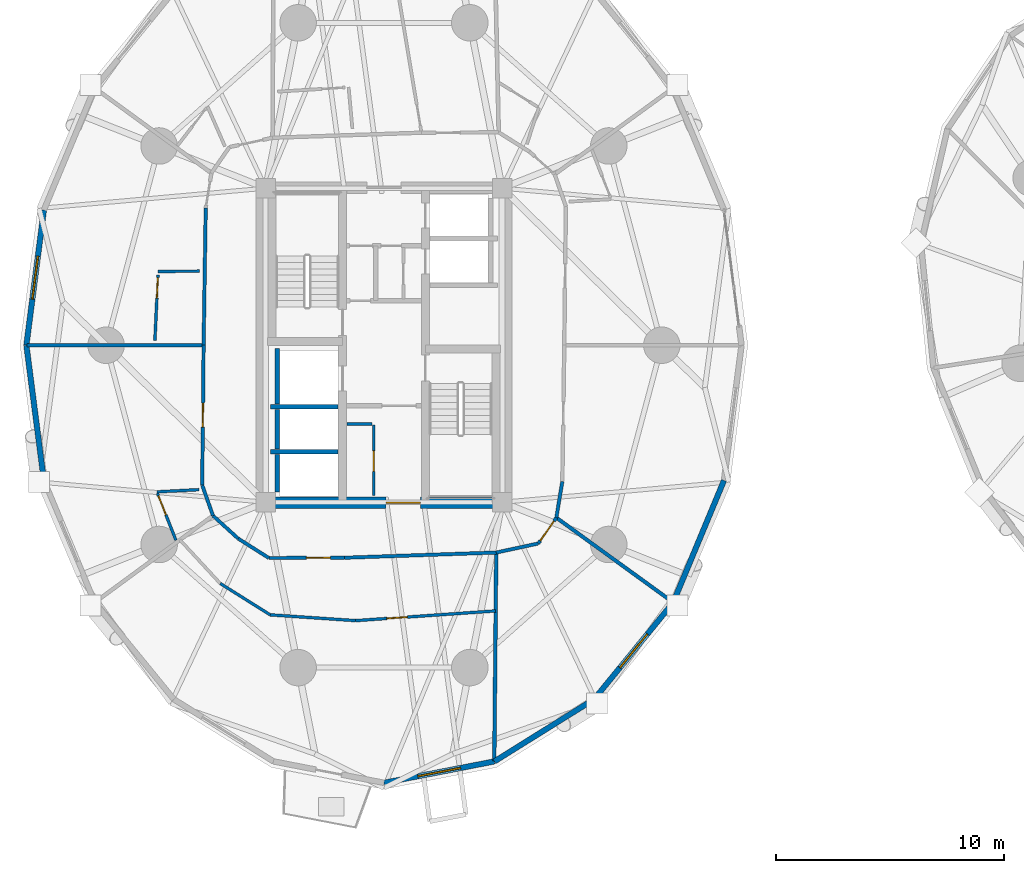
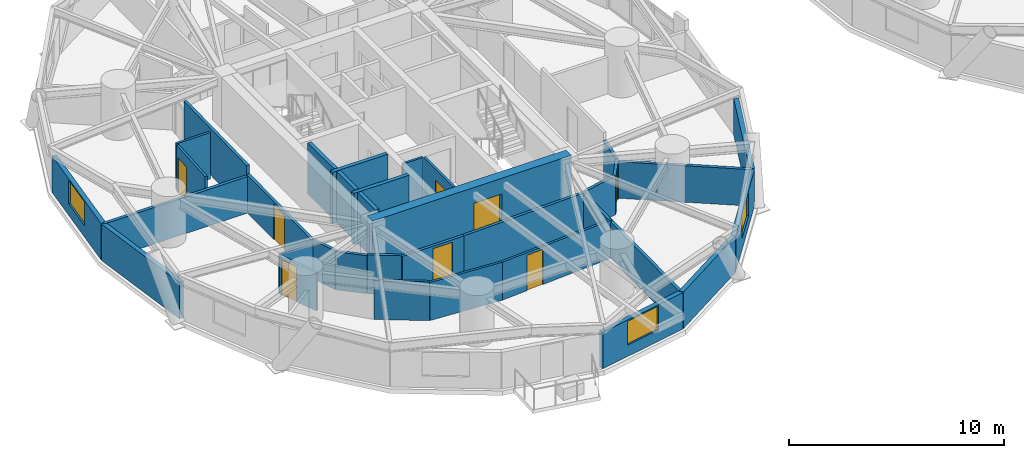
# One storey, part 10 of 19: 34 walls, 8 doors, 3 windows, 11 openings.
"""IFC4 building model written with IfcOpenShell, lengths in metres."""

from ifc_helpers import new_model, si_unit, direction, frame, frame_2d, origin, place, context, subcontext, project, spatial, rectangle, extrude, source, transform, mapped, material, layer, layer_set, type_object, element, fill, save


model = new_model("IFC4")

# Units and contexts
model_context = context("Model", 3, precision=1e-05, world=origin(), true_north=direction((0.0, 1.0)))
body_context = subcontext(model_context, "Body", "Model", "MODEL_VIEW")
ifc_project = project(units=[si_unit("LENGTHUNIT", "METRE"), si_unit("AREAUNIT", "SQUARE_METRE"), si_unit("VOLUMEUNIT", "CUBIC_METRE"), si_unit("PLANEANGLEUNIT", "RADIAN"), si_unit("MASSUNIT", "GRAM", prefix="KILO")], contexts=[model_context])

# Site, building, storey
site_placement = place(None, origin())
site = spatial("IfcSite", under=ifc_project, at=site_placement, CompositionType="ELEMENT")
building_placement = place(site_placement, origin())
building = spatial("IfcBuilding", under=site, at=building_placement, Name="Cununo Teusaquillo Station Towers", CompositionType="ELEMENT")
storey_placement = place(building_placement, frame((0.0, 0.0, 48.18994140625)))
storey = spatial("IfcBuildingStorey", under=building, at=storey_placement, Name="L14", CompositionType="ELEMENT", Elevation=48.18994140625)

# Walls
ifc_material_1 = material(Name="Concrete C50/60", Category="concrete")
ifc_layer_1 = layer(ifc_material_1, 0.199951171875)
ifc_layer_set_1 = layer_set([ifc_layer_1], Name="Concrete C50/60")
wall_type_1 = type_object("IfcWallType", Name="WL-CORE-200", PredefinedType="SHEAR", material=ifc_layer_set_1)
wall_1_placement = place(storey_placement, frame((11.52001953125, 21.800048828125, 0.0), z_axis=(0.0, 0.0, 1.0), x_axis=(1.0, 0.0, 0.0)))
element("IfcWall", 1, at=wall_1_placement, inside=storey, type_object=wall_type_1, Name="L14 Tower A Firefighting Lift Shaft South Shear Wall", PredefinedType="SHEAR", context=body_context, shape_type="SweptSolid", body=[
    extrude(rectangle(XDim=2.969970703125, YDim=0.199951171875, at=frame_2d((1.48486328125, 0.0))), origin(), (0.0, 0.0, 1.0), 2.91015625),
])
wall_2_placement = place(storey_placement, frame((11.820068359375, 21.919921875, 0.0), z_axis=(0.0, 0.0, 1.0), x_axis=(0.0, 1.0, 0.0)))
element("IfcWall", 2, at=wall_2_placement, inside=storey, type_object=wall_type_1, Name="L14 Tower A Firefighting Lift Shaft Rear Shear Wall", PredefinedType="SHEAR", context=body_context, shape_type="SweptSolid", body=[
    extrude(rectangle(XDim=2.440185546875, YDim=0.199951171875, at=frame_2d((1.22021484375, 0.0))), origin(), (0.0, 0.0, 1.0), 2.91015625),
])
wall_3_placement = place(storey_placement, frame((11.52001953125, 19.824951171875, 0.0), z_axis=(0.0, 0.0, 1.0), x_axis=(1.0, 0.0, 0.0)))
element("IfcWall", 3, at=wall_3_placement, inside=storey, type_object=wall_type_1, Name="L14 Tower A High-Rise Lift Hoistway Divider Shear Wall", PredefinedType="SHEAR", context=body_context, shape_type="SweptSolid", body=[
    extrude(rectangle(XDim=2.969970703125, YDim=0.199951171875, at=frame_2d((1.48486328125, 0.0))), origin(), (0.0, 0.0, 1.0), 2.91015625),
])
wall_4_placement = place(storey_placement, frame((11.820068359375, 19.945068359375, 0.0), z_axis=(0.0, 0.0, 1.0), x_axis=(0.0, 1.0, 0.0)))
element("IfcWall", 4, at=wall_4_placement, inside=storey, type_object=wall_type_1, Name="L14 Tower A High-Rise Lift 2 Shaft Rear Shear Wall", PredefinedType="SHEAR", context=body_context, shape_type="SweptSolid", body=[
    extrude(rectangle(XDim=1.73486328125, YDim=0.199951171875, at=frame_2d((0.867431640625, 0.0))), origin(), (0.0, 0.0, 1.0), 2.91015625),
])
wall_5_placement = place(storey_placement, frame((11.820068359375, 18.070068359375, 0.0), z_axis=(0.0, 0.0, 1.0), x_axis=(0.0, 1.0, 0.0)))
element("IfcWall", 5, at=wall_5_placement, inside=storey, type_object=wall_type_1, Name="L14 Tower A High-Rise Lift 1 Shaft Rear Shear Wall", PredefinedType="SHEAR", context=body_context, shape_type="SweptSolid", body=[
    extrude(rectangle(XDim=1.635009765625, YDim=0.199951171875, at=frame_2d((0.8173828125, 0.0))), origin(), (0.0, 0.0, 1.0), 2.91015625),
])

# Wall, opening, door
ifc_material_2 = material(Name="Concrete C60/75", Category="concrete")
ifc_layer_2 = layer(ifc_material_2, 0.5)
ifc_layer_set_2 = layer_set([ifc_layer_2], Name="Concrete C60/75")
wall_type_2 = type_object("IfcWallType", Name="WL-CORE-500", PredefinedType="SHEAR", material=ifc_layer_set_2)
wall_6_placement = place(storey_placement, frame((11.14990234375, 17.60009765625, 0.0), z_axis=(0.0, 0.0, 1.0), x_axis=(1.0, 0.0, 0.0)))
wall_6 = element("IfcWall", 6, at=wall_6_placement, inside=storey, type_object=wall_type_2, Name="L14 Tower A Core Shear Wall S", PredefinedType="SHEAR", context=body_context, shape_type="SweptSolid", body=[
    extrude(rectangle(XDim=10.7001953125, YDim=0.5, at=frame_2d((5.35009765625, 0.0))), origin(), (0.0, 0.0, 1.0), 2.91015625),
])
shared_shape_1 = source(origin(), body_context, "Body", "SweptSolid", [
    extrude(rectangle(XDim=1.5, YDim=2.02001953125, at=frame_2d((0.75, 1.010009765625))), frame((0.0, 0.260009765625, 0.0), z_axis=(0.0, -1.0, 0.0), x_axis=(1.0, 0.0, 0.0)), (0.0, 0.0, 1.0), 0.52001953125),
])
opening_1_placement = place(wall_6_placement, frame((5.449951171875, 0.0, 0.0)))
opening_1 = element("IfcOpeningElement", 7, at=opening_1_placement, cuts=wall_6, Name="Opening D-LB1", PredefinedType="OPENING", context=body_context, shape_type="MappedRepresentation", body=[
    mapped(shared_shape_1, transform((0.0, 0.0, 0.0), x_axis=(1.0, 0.0, 0.0), y_axis=(0.0, 1.0, 0.0), z_axis=(0.0, 0.0, 1.0), scale=1.0)),
])
ifc_material_3 = material(Name="Galvanised fire-rated hollow steel door assembly", Category="steel")
door_type_1 = type_object("IfcDoorType", Name="DR-LOBBY-1500", OperationType="DOUBLE_DOOR_SINGLE_SWING", PredefinedType="DOOR", material=ifc_material_3)
shared_shape_2 = source(origin(), body_context, "Body", "SweptSolid", [
    extrude(rectangle(XDim=1.5, YDim=2.02001953125, at=frame_2d((0.75, 1.010009765625))), frame((0.0, 0.02490234375, 0.0), z_axis=(0.0, -1.0, 0.0), x_axis=(1.0, 0.0, 0.0)), (0.0, 0.0, 1.0), 0.050048828125),
])
door_1_placement = place(opening_1_placement, origin())
door_1 = element("IfcDoor", 8, at=door_1_placement, inside=storey, type_object=door_type_1, Name="L14 Tower A South Core Lift Lobby Door", OperationType="DOUBLE_DOOR_SINGLE_SWING", OverallHeight=2.02001953125, OverallWidth=1.5, PredefinedType="DOOR", context=body_context, shape_type="MappedRepresentation", body=[
    mapped(shared_shape_2, transform((0.0, 0.0, 0.0), x_axis=(1.0, 0.0, 0.0), y_axis=(0.0, 1.0, 0.0), z_axis=(0.0, 0.0, 1.0), scale=1.0)),
])
fill(opening_1, door_1)

# Wall, opening, window
ifc_material_4 = material(Name="Precast concrete C40/50", Category="concrete")
ifc_layer_3 = layer(ifc_material_4, 0.239990234375)
ifc_layer_set_3 = layer_set([ifc_layer_3], Name="Precast concrete C40/50")
wall_type_3 = type_object("IfcWallType", Name="WL-EXT-240", PredefinedType="SOLIDWALL", material=ifc_layer_set_3)
wall_7_placement = place(storey_placement, frame((0.8369140625, 24.5, 0.0), z_axis=(0.0, 0.0, 1.0), x_axis=(0.128339641463, 0.991730274031, 0.0)))
wall_7 = element("IfcWall", 9, at=wall_7_placement, inside=storey, type_object=wall_type_3, Name="L14 Tower A Exterior Facade Wall C09", PredefinedType="SOLIDWALL", context=body_context, shape_type="SweptSolid", body=[
    extrude(rectangle(XDim=5.97314453125, YDim=0.239990234375, at=frame_2d((2.986572265625, 0.0))), origin(), (0.0, 0.0, 1.0), 2.072998046875),
])
shared_shape_3 = source(origin(), body_context, "Body", "SweptSolid", [
    extrude(rectangle(XDim=1.89990234375, YDim=1.35009765625, at=frame_2d((0.949951171875, 0.675048828125))), frame((0.0, 0.1298828125, 0.0), z_axis=(0.0, -1.0, 0.0), x_axis=(1.0, 0.0, 0.0)), (0.0, 0.0, 1.0), 0.260009765625),
])
opening_2_placement = place(wall_7_placement, frame((2.037109375, 0.0, 0.64990234375)))
opening_2 = element("IfcOpeningElement", 10, at=opening_2_placement, cuts=wall_7, Name="Opening WN-02", PredefinedType="OPENING", context=body_context, shape_type="MappedRepresentation", body=[
    mapped(shared_shape_3, transform((0.0, 0.0, 0.0), x_axis=(1.0, 0.0, 0.0), y_axis=(0.0, 1.0, 0.0), z_axis=(0.0, 0.0, 1.0), scale=1.0)),
])
ifc_material_5 = material(Name="Operable acoustic tinted low-E double glazing", Category="glass")
window_type = type_object("IfcWindowType", Name="WIN-OPER-1900", PartitioningType="DOUBLE_PANEL_VERTICAL", PredefinedType="WINDOW", material=ifc_material_5)
shared_shape_4 = source(origin(), body_context, "Body", "SweptSolid", [
    extrude(rectangle(XDim=1.89990234375, YDim=1.35009765625, at=frame_2d((0.949951171875, 0.675048828125))), frame((0.0, 0.030029296875, 0.0), z_axis=(0.0, -1.0, 0.0), x_axis=(1.0, 0.0, 0.0)), (0.0, 0.0, 1.0), 0.06005859375),
])
window_1_placement = place(opening_2_placement, origin())
window_1 = element("IfcWindow", 11, at=window_1_placement, inside=storey, type_object=window_type, Name="L14 Tower A Facade Window C09", OverallHeight=1.35009765625, OverallWidth=1.89990234375, PartitioningType="DOUBLE_PANEL_VERTICAL", PredefinedType="WINDOW", context=body_context, shape_type="MappedRepresentation", body=[
    mapped(shared_shape_4, transform((0.0, 0.0, 0.0), x_axis=(1.0, 0.0, 0.0), y_axis=(0.0, 1.0, 0.0), z_axis=(0.0, 0.0, 1.0), scale=1.0)),
])
fill(opening_2, window_1)

# Wall
wall_8_placement = place(storey_placement, frame((1.603515625, 18.576171875, 0.0), z_axis=(0.0, 0.0, 1.0), x_axis=(-0.128339641463, 0.991730274031, 0.0)))
element("IfcWall", 12, at=wall_8_placement, inside=storey, type_object=wall_type_3, Name="L14 Tower A Exterior Facade Wall C10", PredefinedType="SOLIDWALL", context=body_context, shape_type="SweptSolid", body=[
    extrude(rectangle(XDim=5.97314453125, YDim=0.239990234375, at=frame_2d((2.986572265625, 0.0))), origin(), (0.0, 0.0, 1.0), 2.072998046875),
])

# Wall, opening, window
wall_9_placement = place(storey_placement, frame((21.340087890625, 6.268310546875, 0.0), z_axis=(0.0, 0.0, 1.0), x_axis=(-0.981725274071, -0.190303668512, 0.0)))
wall_9 = element("IfcWall", 13, at=wall_9_placement, inside=storey, type_object=wall_type_3, Name="L14 Tower A Exterior Facade Wall C15", PredefinedType="SOLIDWALL", context=body_context, shape_type="SweptSolid", body=[
    extrude(rectangle(XDim=4.93017578125, YDim=0.239990234375, at=frame_2d((2.465087890625, 0.0))), origin(), (0.0, 0.0, 1.0), 2.072998046875),
])
opening_3_placement = place(wall_9_placement, frame((1.514892578125, 0.0, 0.64990234375)))
opening_3 = element("IfcOpeningElement", 14, at=opening_3_placement, cuts=wall_9, Name="Opening WN-02", PredefinedType="OPENING", context=body_context, shape_type="MappedRepresentation", body=[
    mapped(shared_shape_3, transform((0.0, 0.0, 0.0), x_axis=(1.0, 0.0, 0.0), y_axis=(0.0, 1.0, 0.0), z_axis=(0.0, 0.0, 1.0), scale=1.0)),
])
window_2_placement = place(opening_3_placement, origin())
window_2 = element("IfcWindow", 15, at=window_2_placement, inside=storey, type_object=window_type, Name="L14 Tower A Facade Window C15", OverallHeight=1.35009765625, OverallWidth=1.89990234375, PartitioningType="DOUBLE_PANEL_VERTICAL", PredefinedType="WINDOW", context=body_context, shape_type="MappedRepresentation", body=[
    mapped(shared_shape_4, transform((0.0, 0.0, 0.0), x_axis=(1.0, 0.0, 0.0), y_axis=(0.0, 1.0, 0.0), z_axis=(0.0, 0.0, 1.0), scale=1.0)),
])
fill(opening_3, window_2)

# Wall
wall_10_placement = place(storey_placement, frame((25.70654296875, 8.9912109375, 0.0), z_axis=(0.0, 0.0, 1.0), x_axis=(-0.848533613342, -0.529141481107, 0.0)))
element("IfcWall", 16, at=wall_10_placement, inside=storey, type_object=wall_type_3, Name="L14 Tower A Exterior Facade Wall C16", PredefinedType="SOLIDWALL", context=body_context, shape_type="SweptSolid", body=[
    extrude(rectangle(XDim=5.14599609375, YDim=0.239990234375, at=frame_2d((2.572998046875, 0.0))), origin(), (0.0, 0.0, 1.0), 2.072998046875),
])

# Wall, opening, window
wall_11_placement = place(storey_placement, frame((29.171630859375, 13.232177734375, 0.0), z_axis=(0.0, 0.0, 1.0), x_axis=(-0.632713287022, -0.77438614168, 0.0)))
wall_11 = element("IfcWall", 17, at=wall_11_placement, inside=storey, type_object=wall_type_3, Name="L14 Tower A Exterior Facade Wall C17", PredefinedType="SOLIDWALL", context=body_context, shape_type="SweptSolid", body=[
    extrude(rectangle(XDim=5.4765625, YDim=0.239990234375, at=frame_2d((2.73828125, 0.0))), origin(), (0.0, 0.0, 1.0), 2.072998046875),
])
opening_4_placement = place(wall_11_placement, frame((1.7880859375, 0.0, 0.64990234375)))
opening_4 = element("IfcOpeningElement", 18, at=opening_4_placement, cuts=wall_11, Name="Opening WN-02", PredefinedType="OPENING", context=body_context, shape_type="MappedRepresentation", body=[
    mapped(shared_shape_3, transform((0.0, 0.0, 0.0), x_axis=(1.0, 0.0, 0.0), y_axis=(0.0, 1.0, 0.0), z_axis=(0.0, 0.0, 1.0), scale=1.0)),
])
window_3_placement = place(opening_4_placement, origin())
window_3 = element("IfcWindow", 19, at=window_3_placement, inside=storey, type_object=window_type, Name="L14 Tower A Facade Window C17", OverallHeight=1.35009765625, OverallWidth=1.89990234375, PartitioningType="DOUBLE_PANEL_VERTICAL", PredefinedType="WINDOW", context=body_context, shape_type="MappedRepresentation", body=[
    mapped(shared_shape_4, transform((0.0, 0.0, 0.0), x_axis=(1.0, 0.0, 0.0), y_axis=(0.0, 1.0, 0.0), z_axis=(0.0, 0.0, 1.0), scale=1.0)),
])
fill(opening_4, window_3)

# Wall
wall_12_placement = place(storey_placement, frame((31.396484375, 18.576171875, 0.0), z_axis=(0.0, 0.0, 1.0), x_axis=(-0.384348836956, -0.923187939442, 0.0)))
element("IfcWall", 20, at=wall_12_placement, inside=storey, type_object=wall_type_3, Name="L14 Tower A Exterior Facade Wall C18", PredefinedType="SOLIDWALL", context=body_context, shape_type="SweptSolid", body=[
    extrude(rectangle(XDim=5.78857421875, YDim=0.239990234375, at=frame_2d((2.894287109375, 0.0))), origin(), (0.0, 0.0, 1.0), 2.072998046875),
])

# Wall, opening, door
ifc_material_6 = material(Name="Fire-rated gypsum plasterboard partition assembly", Category="gypsum")
ifc_layer_4 = layer(ifc_material_6, 0.125)
ifc_layer_set_4 = layer_set([ifc_layer_4], Name="Fire-rated gypsum plasterboard partition assembly")
wall_type_4 = type_object("IfcWallType", Name="WL-PART-125", PredefinedType="PARTITIONING", material=ifc_layer_set_4)
wall_13_placement = place(storey_placement, frame((16.050048828125, 17.919921875, 0.0), z_axis=(0.0, 0.0, 1.0), x_axis=(0.0, 1.0, 0.0)))
wall_13 = element("IfcWall", 21, at=wall_13_placement, inside=storey, type_object=wall_type_4, Name="L14 Tower A South-West Tall Store East Wall", PredefinedType="PARTITIONING", context=body_context, shape_type="SweptSolid", body=[
    extrude(rectangle(XDim=3.080078125, YDim=0.125, at=frame_2d((1.5400390625, 0.0))), origin(), (0.0, 0.0, 1.0), 2.635009765625),
])
shared_shape_5 = source(origin(), body_context, "Body", "SweptSolid", [
    extrude(rectangle(XDim=0.89990234375, YDim=2.0048828125, at=frame_2d((0.449951171875, 1.00244140625))), frame((0.0, 0.072509765625, 0.0), z_axis=(0.0, -1.0, 0.0), x_axis=(1.0, 0.0, 0.0)), (0.0, 0.0, 1.0), 0.14501953125),
])
opening_5_placement = place(wall_13_placement, frame((1.050048828125, 0.0, 0.0)))
opening_5 = element("IfcOpeningElement", 22, at=opening_5_placement, cuts=wall_13, Name="Opening D-SR1", PredefinedType="OPENING", context=body_context, shape_type="MappedRepresentation", body=[
    mapped(shared_shape_5, transform((0.0, 0.0, 0.0), x_axis=(1.0, 0.0, 0.0), y_axis=(0.0, 1.0, 0.0), z_axis=(0.0, 0.0, 1.0), scale=1.0)),
])
ifc_material_7 = material(Name="Galvanised fire-rated hollow steel door assembly", Category="steel")
door_type_2 = type_object("IfcDoorType", Name="DR-STORE-900", OperationType="NOTDEFINED", PredefinedType="DOOR", material=ifc_material_7)
shared_shape_6 = source(origin(), body_context, "Body", "SweptSolid", [
    extrude(rectangle(XDim=0.89990234375, YDim=2.0048828125, at=frame_2d((0.449951171875, 1.00244140625))), frame((0.0, 0.02490234375, 0.0), z_axis=(0.0, -1.0, 0.0), x_axis=(1.0, 0.0, 0.0)), (0.0, 0.0, 1.0), 0.050048828125),
])
door_2_placement = place(opening_5_placement, origin())
door_2 = element("IfcDoor", 23, at=door_2_placement, inside=storey, type_object=door_type_2, Name="L14 Tower A South Cleaners Store Door", OperationType="SINGLE_SWING_LEFT", OverallHeight=2.0048828125, OverallWidth=0.89990234375, PredefinedType="DOOR", context=body_context, shape_type="MappedRepresentation", body=[
    mapped(shared_shape_6, transform((0.0, 0.0, 0.0), x_axis=(1.0, 0.0, 0.0), y_axis=(0.0, 1.0, 0.0), z_axis=(0.0, 0.0, 1.0), scale=1.0)),
])
fill(opening_5, door_2)

# Walls
wall_14_placement = place(storey_placement, frame((14.8798828125, 21.050048828125, 0.0), z_axis=(0.0, 0.0, 1.0), x_axis=(1.0, 0.0, 0.0)))
element("IfcWall", 24, at=wall_14_placement, inside=storey, type_object=wall_type_4, Name="L14 Tower A South-West Tall Store North Wall", PredefinedType="PARTITIONING", context=body_context, shape_type="SweptSolid", body=[
    extrude(rectangle(XDim=1.10009765625, YDim=0.125, at=frame_2d((0.550048828125, 0.0))), origin(), (0.0, 0.0, 1.0), 2.635009765625),
])
wall_15_placement = place(storey_placement, frame((8.4287109375, 27.74462890625, 0.0), z_axis=(0.0, 0.0, 1.0), x_axis=(-0.999976632219, -0.006836301373, 0.0)))
element("IfcWall", 25, at=wall_15_placement, inside=storey, type_object=wall_type_4, Name="L14 Tower A S05 En-suite Side Wall", PredefinedType="PARTITIONING", context=body_context, shape_type="SweptSolid", body=[
    extrude(rectangle(XDim=1.8212890625, YDim=0.125, at=frame_2d((0.91064453125, 0.0))), origin(), (0.0, 0.0, 1.0), 2.635009765625),
])

# Wall, opening, door
wall_16_placement = place(storey_placement, frame((6.600341796875, 27.58251953125, 0.0), z_axis=(0.0, 0.0, 1.0), x_axis=(-0.046516553412, -0.998917519247, 0.0)))
wall_16 = element("IfcWall", 26, at=wall_16_placement, inside=storey, type_object=wall_type_4, Name="L14 Tower A S05 En-suite Back Wall", PredefinedType="PARTITIONING", context=body_context, shape_type="SweptSolid", body=[
    extrude(rectangle(XDim=2.876220703125, YDim=0.125, at=frame_2d((1.43798828125, 0.0))), origin(), (0.0, 0.0, 1.0), 2.635009765625),
])
opening_6_placement = place(wall_16_placement, frame((0.1201171875, 0.0, 0.0)))
opening_6 = element("IfcOpeningElement", 27, at=opening_6_placement, cuts=wall_16, Name="Opening D-IN1", PredefinedType="OPENING", context=body_context, shape_type="MappedRepresentation", body=[
    mapped(shared_shape_5, transform((0.0, 0.0, 0.0), x_axis=(1.0, 0.0, 0.0), y_axis=(0.0, 1.0, 0.0), z_axis=(0.0, 0.0, 1.0), scale=1.0)),
])
ifc_material_8 = material(Name="Acoustic solid-core hardwood leaf assembly", Category="wood")
door_type_3 = type_object("IfcDoorType", Name="DR-INT-900", OperationType="NOTDEFINED", PredefinedType="DOOR", material=ifc_material_8)
door_3_placement = place(opening_6_placement, origin())
door_3 = element("IfcDoor", 28, at=door_3_placement, inside=storey, type_object=door_type_3, Name="L14 Tower A S05 En-suite Bathroom Door", OperationType="SINGLE_SWING_RIGHT", OverallHeight=2.0048828125, OverallWidth=0.89990234375, PredefinedType="DOOR", context=body_context, shape_type="MappedRepresentation", body=[
    mapped(shared_shape_6, transform((0.0, 0.0, 0.0), x_axis=(1.0, 0.0, 0.0), y_axis=(0.0, 1.0, 0.0), z_axis=(0.0, 0.0, 1.0), scale=1.0)),
])
fill(opening_6, door_3)

# Wall
wall_17_placement = place(storey_placement, frame((8.404296875, 18.173095703125, 0.0), z_axis=(0.0, 0.0, 1.0), x_axis=(-0.998640999178, -0.052116741655, 0.0)))
element("IfcWall", 29, at=wall_17_placement, inside=storey, type_object=wall_type_4, Name="L14 Tower A S06 En-suite Side Wall", PredefinedType="PARTITIONING", context=body_context, shape_type="SweptSolid", body=[
    extrude(rectangle(XDim=1.85498046875, YDim=0.125, at=frame_2d((0.927490234375, 0.0))), origin(), (0.0, 0.0, 1.0), 2.205078125),
])

# Wall, opening, door
wall_18_placement = place(storey_placement, frame((6.5771484375, 18.01220703125, 0.0), z_axis=(0.0, 0.0, 1.0), x_axis=(0.366179258149, -0.930544330433, 0.0)))
wall_18 = element("IfcWall", 30, at=wall_18_placement, inside=storey, type_object=wall_type_4, Name="L14 Tower A S06 En-suite Back Wall", PredefinedType="PARTITIONING", context=body_context, shape_type="SweptSolid", body=[
    extrude(rectangle(XDim=2.20751953125, YDim=0.125, at=frame_2d((1.103759765625, 0.0))), origin(), (0.0, 0.0, 1.0), 2.1591796875),
])
opening_7_placement = place(wall_18_placement, frame((0.1201171875, 0.0, 0.0)))
opening_7 = element("IfcOpeningElement", 31, at=opening_7_placement, cuts=wall_18, Name="Opening D-IN1", PredefinedType="OPENING", context=body_context, shape_type="MappedRepresentation", body=[
    mapped(shared_shape_5, transform((0.0, 0.0, 0.0), x_axis=(1.0, 0.0, 0.0), y_axis=(0.0, 1.0, 0.0), z_axis=(0.0, 0.0, 1.0), scale=1.0)),
])
door_4_placement = place(opening_7_placement, origin())
door_4 = element("IfcDoor", 32, at=door_4_placement, inside=storey, type_object=door_type_3, Name="L14 Tower A S06 En-suite Bathroom Door", OperationType="SINGLE_SWING_RIGHT", OverallHeight=2.0048828125, OverallWidth=0.89990234375, PredefinedType="DOOR", context=body_context, shape_type="MappedRepresentation", body=[
    mapped(shared_shape_6, transform((0.0, 0.0, 0.0), x_axis=(1.0, 0.0, 0.0), y_axis=(0.0, 1.0, 0.0), z_axis=(0.0, 0.0, 1.0), scale=1.0)),
])
fill(opening_7, door_4)

# Walls
wall_19_placement = place(storey_placement, frame((9.32861328125, 14.06298828125, 0.0), z_axis=(0.0, 0.0, 1.0), x_axis=(0.846882074778, -0.531780736225, 0.0)))
element("IfcWall", 33, at=wall_19_placement, inside=storey, type_object=wall_type_4, Name="L14 Tower A Hotel Sommelier & Wine Salon Concentric Partition Wall C13", PredefinedType="PARTITIONING", context=body_context, shape_type="SweptSolid", body=[
    extrude(rectangle(XDim=2.584716796875, YDim=0.125, at=frame_2d((1.29248046875, 0.0))), origin(), (0.0, 0.0, 1.0), 2.205078125),
])
wall_20_placement = place(storey_placement, frame((11.517578125, 12.6884765625, 0.0), z_axis=(0.0, 0.0, 1.0), x_axis=(0.997722259414, -0.067455860152, 0.0)))
element("IfcWall", 34, at=wall_20_placement, inside=storey, type_object=wall_type_4, Name="L14 Tower A Hotel Sommelier & Wine Salon Concentric Partition Wall C14", PredefinedType="PARTITIONING", context=body_context, shape_type="SweptSolid", body=[
    extrude(rectangle(XDim=3.753173828125, YDim=0.125, at=frame_2d((1.87646484375, 0.0))), origin(), (0.0, 0.0, 1.0), 2.1591796875),
])

# Wall, opening, door
wall_21_placement = place(storey_placement, frame((15.26220703125, 12.435302734375, 0.0), z_axis=(0.0, 0.0, 1.0), x_axis=(0.997593149667, 0.069339077998, 0.0)))
wall_21 = element("IfcWall", 35, at=wall_21_placement, inside=storey, type_object=wall_type_4, Name="L14 Tower A Hotel Sommelier & Wine Salon Concentric Partition Wall C15", PredefinedType="PARTITIONING", context=body_context, shape_type="SweptSolid", body=[
    extrude(rectangle(XDim=6.147705078125, YDim=0.125, at=frame_2d((3.07373046875, 0.0))), origin(), (0.0, 0.0, 1.0), 2.1591796875),
])
opening_8_placement = place(wall_21_placement, frame((1.371826171875, 0.0, 0.0)))
opening_8 = element("IfcOpeningElement", 36, at=opening_8_placement, cuts=wall_21, Name="Opening D-IN1", PredefinedType="OPENING", context=body_context, shape_type="MappedRepresentation", body=[
    mapped(shared_shape_5, transform((0.0, 0.0, 0.0), x_axis=(1.0, 0.0, 0.0), y_axis=(0.0, 1.0, 0.0), z_axis=(0.0, 0.0, 1.0), scale=1.0)),
])
door_5_placement = place(opening_8_placement, origin())
door_5 = element("IfcDoor", 37, at=door_5_placement, inside=storey, type_object=door_type_3, Name="L14 Tower A Hotel Sommelier & Wine Salon Connecting Door", OperationType="SINGLE_SWING_RIGHT", OverallHeight=2.0048828125, OverallWidth=0.89990234375, PredefinedType="DOOR", context=body_context, shape_type="MappedRepresentation", body=[
    mapped(shared_shape_6, transform((0.0, 0.0, 0.0), x_axis=(1.0, 0.0, 0.0), y_axis=(0.0, 1.0, 0.0), z_axis=(0.0, 0.0, 1.0), scale=1.0)),
])
fill(opening_8, door_5)

# Wall
ifc_material_9 = material(Name="Fire-rated gypsum plasterboard partition assembly", Category="gypsum")
ifc_layer_5 = layer(ifc_material_9, 0.14990234375)
ifc_layer_set_5 = layer_set([ifc_layer_5], Name="Fire-rated gypsum plasterboard partition assembly")
wall_type_5 = type_object("IfcWallType", Name="WL-PART-150", PredefinedType="PARTITIONING", material=ifc_layer_set_5)
wall_22_placement = place(storey_placement, frame((8.692626953125, 30.51171875, 0.0), z_axis=(0.0, 0.0, 1.0), x_axis=(-0.015389665197, -0.99988157209, 0.0)))
element("IfcWall", 38, at=wall_22_placement, inside=storey, type_object=wall_type_5, Name="L14 Tower A Corridor Ring Wall C09", PredefinedType="PARTITIONING", context=body_context, shape_type="SweptSolid", body=[
    extrude(rectangle(XDim=6.012451171875, YDim=0.14990234375, at=frame_2d((3.00634765625, 0.0))), origin(), (0.0, 0.0, 1.0), 2.635009765625),
])

# Wall, opening, door
wall_23_placement = place(storey_placement, frame((8.60009765625, 24.5, 0.0), z_axis=(0.0, 0.0, 1.0), x_axis=(-0.010076760723, -0.999949228158, 0.0)))
wall_23 = element("IfcWall", 39, at=wall_23_placement, inside=storey, type_object=wall_type_5, Name="L14 Tower A Corridor Ring Wall C10", PredefinedType="PARTITIONING", context=body_context, shape_type="SweptSolid", body=[
    extrude(rectangle(XDim=6.129638671875, YDim=0.14990234375, at=frame_2d((3.06494140625, 0.0))), origin(), (0.0, 0.0, 1.0), 2.1591796875),
])
shared_shape_7 = source(origin(), body_context, "Body", "SweptSolid", [
    extrude(rectangle(XDim=1.050048828125, YDim=2.014892578125, at=frame_2d((0.52490234375, 1.00732421875))), frame((0.0, 0.0849609375, 0.0), z_axis=(0.0, -1.0, 0.0), x_axis=(1.0, 0.0, 0.0)), (0.0, 0.0, 1.0), 0.169921875),
])
opening_9_placement = place(wall_23_placement, frame((2.539794921875, 0.0, 0.0)))
opening_9 = element("IfcOpeningElement", 40, at=opening_9_placement, cuts=wall_23, Name="Opening D-SU1", PredefinedType="OPENING", context=body_context, shape_type="MappedRepresentation", body=[
    mapped(shared_shape_7, transform((0.0, 0.0, 0.0), x_axis=(1.0, 0.0, 0.0), y_axis=(0.0, 1.0, 0.0), z_axis=(0.0, 0.0, 1.0), scale=1.0)),
])
ifc_material_10 = material(Name="Acoustic solid-core hardwood leaf assembly", Category="wood")
door_type_4 = type_object("IfcDoorType", Name="DR-SUITE-1050", OperationType="NOTDEFINED", PredefinedType="DOOR", material=ifc_material_10)
shared_shape_8 = source(origin(), body_context, "Body", "SweptSolid", [
    extrude(rectangle(XDim=1.050048828125, YDim=2.014892578125, at=frame_2d((0.52490234375, 1.00732421875))), frame((0.0, 0.02490234375, 0.0), z_axis=(0.0, -1.0, 0.0), x_axis=(1.0, 0.0, 0.0)), (0.0, 0.0, 1.0), 0.050048828125),
])
door_6_placement = place(opening_9_placement, origin())
door_6 = element("IfcDoor", 41, at=door_6_placement, inside=storey, type_object=door_type_4, Name="L14 Tower A Regent Corner Hotel Suite Entrance Door", OperationType="SINGLE_SWING_LEFT", OverallHeight=2.014892578125, OverallWidth=1.050048828125, PredefinedType="DOOR", context=body_context, shape_type="MappedRepresentation", body=[
    mapped(shared_shape_8, transform((0.0, 0.0, 0.0), x_axis=(1.0, 0.0, 0.0), y_axis=(0.0, 1.0, 0.0), z_axis=(0.0, 0.0, 1.0), scale=1.0)),
])
fill(opening_9, door_6)

# Walls
wall_24_placement = place(storey_placement, frame((8.538330078125, 18.37060546875, 0.0), z_axis=(0.0, 0.0, 1.0), x_axis=(0.3330273821, -0.942917155837, 0.0)))
element("IfcWall", 42, at=wall_24_placement, inside=storey, type_object=wall_type_5, Name="L14 Tower A Corridor Ring Wall C11", PredefinedType="PARTITIONING", context=body_context, shape_type="SweptSolid", body=[
    extrude(rectangle(XDim=1.4169921875, YDim=0.14990234375, at=frame_2d((0.70849609375, 0.0))), origin(), (0.0, 0.0, 1.0), 2.205078125),
])
wall_25_placement = place(storey_placement, frame((9.01025390625, 17.034423828125, 0.0), z_axis=(0.0, 0.0, 1.0), x_axis=(0.739733009791, -0.672900493554, 0.0)))
element("IfcWall", 43, at=wall_25_placement, inside=storey, type_object=wall_type_5, Name="L14 Tower A Corridor Ring Wall C12", PredefinedType="PARTITIONING", context=body_context, shape_type="SweptSolid", body=[
    extrude(rectangle(XDim=1.494140625, YDim=0.14990234375, at=frame_2d((0.7470703125, 0.0))), origin(), (0.0, 0.0, 1.0), 2.1591796875),
])
wall_26_placement = place(storey_placement, frame((10.115478515625, 16.029052734375, 0.0), z_axis=(0.0, 0.0, 1.0), x_axis=(0.844897677802, -0.534927952201, 0.0)))
element("IfcWall", 44, at=wall_26_placement, inside=storey, type_object=wall_type_5, Name="L14 Tower A Corridor Ring Wall C13", PredefinedType="PARTITIONING", context=body_context, shape_type="SweptSolid", body=[
    extrude(rectangle(XDim=1.591064453125, YDim=0.14990234375, at=frame_2d((0.79541015625, 0.0))), origin(), (0.0, 0.0, 1.0), 2.205078125),
])

# Wall, opening, door
wall_27_placement = place(storey_placement, frame((11.459716796875, 15.177978515625, 0.0), z_axis=(0.0, 0.0, 1.0), x_axis=(0.999992694689, 0.003822377251, 0.0)))
wall_27 = element("IfcWall", 45, at=wall_27_placement, inside=storey, type_object=wall_type_5, Name="L14 Tower A Corridor Ring Wall C14", PredefinedType="PARTITIONING", context=body_context, shape_type="SweptSolid", body=[
    extrude(rectangle(XDim=3.3212890625, YDim=0.14990234375, at=frame_2d((1.66064453125, 0.0))), origin(), (0.0, 0.0, 1.0), 2.1591796875),
])
opening_10_placement = place(wall_27_placement, frame((1.643310546875, 0.0, 0.0)))
opening_10 = element("IfcOpeningElement", 46, at=opening_10_placement, cuts=wall_27, Name="Opening D-SU1", PredefinedType="OPENING", context=body_context, shape_type="MappedRepresentation", body=[
    mapped(shared_shape_7, transform((0.0, 0.0, 0.0), x_axis=(1.0, 0.0, 0.0), y_axis=(0.0, 1.0, 0.0), z_axis=(0.0, 0.0, 1.0), scale=1.0)),
])
door_7_placement = place(opening_10_placement, origin())
door_7 = element("IfcDoor", 47, at=door_7_placement, inside=storey, type_object=door_type_4, Name="L14 Tower A Hotel Sommelier & Wine Salon Entrance Door", OperationType="SINGLE_SWING_LEFT", OverallHeight=2.014892578125, OverallWidth=1.050048828125, PredefinedType="DOOR", context=body_context, shape_type="MappedRepresentation", body=[
    mapped(shared_shape_8, transform((0.0, 0.0, 0.0), x_axis=(1.0, 0.0, 0.0), y_axis=(0.0, 1.0, 0.0), z_axis=(0.0, 0.0, 1.0), scale=1.0)),
])
fill(opening_10, door_7)

# Walls
wall_28_placement = place(storey_placement, frame((14.781005859375, 15.190673828125, 0.0), z_axis=(0.0, 0.0, 1.0), x_axis=(0.999412963972, 0.034259705842, 0.0)))
element("IfcWall", 48, at=wall_28_placement, inside=storey, type_object=wall_type_5, Name="L14 Tower A Corridor Ring Wall C15", PredefinedType="PARTITIONING", context=body_context, shape_type="SweptSolid", body=[
    extrude(rectangle(XDim=6.6416015625, YDim=0.14990234375, at=frame_2d((3.32080078125, 0.0))), origin(), (0.0, 0.0, 1.0), 2.1591796875),
])
wall_29_placement = place(storey_placement, frame((21.418701171875, 15.418212890625, 0.0), z_axis=(0.0, 0.0, 1.0), x_axis=(0.977540384091, 0.210748184977, 0.0)))
element("IfcWall", 49, at=wall_29_placement, inside=storey, type_object=wall_type_5, Name="L14 Tower A Corridor Ring Wall C16", PredefinedType="PARTITIONING", context=body_context, shape_type="SweptSolid", body=[
    extrude(rectangle(XDim=1.88720703125, YDim=0.14990234375, at=frame_2d((0.943603515625, 0.0))), origin(), (0.0, 0.0, 1.0), 2.205078125),
])

# Wall, opening, door
wall_30_placement = place(storey_placement, frame((23.263427734375, 15.81591796875, 0.0), z_axis=(0.0, 0.0, 1.0), x_axis=(0.572652947117, 0.819797903241, 0.0)))
wall_30 = element("IfcWall", 50, at=wall_30_placement, inside=storey, type_object=wall_type_5, Name="L14 Tower A Corridor Ring Wall C17", PredefinedType="PARTITIONING", context=body_context, shape_type="SweptSolid", body=[
    extrude(rectangle(XDim=1.376953125, YDim=0.14990234375, at=frame_2d((0.6884765625, 0.0))), origin(), (0.0, 0.0, 1.0), 2.1591796875),
])
opening_11_placement = place(wall_30_placement, frame((0.147216796875, 0.0, 0.0)))
opening_11 = element("IfcOpeningElement", 51, at=opening_11_placement, cuts=wall_30, Name="Opening D-SU1", PredefinedType="OPENING", context=body_context, shape_type="MappedRepresentation", body=[
    mapped(shared_shape_7, transform((0.0, 0.0, 0.0), x_axis=(1.0, 0.0, 0.0), y_axis=(0.0, 1.0, 0.0), z_axis=(0.0, 0.0, 1.0), scale=1.0)),
])
door_8_placement = place(opening_11_placement, origin())
door_8 = element("IfcDoor", 52, at=door_8_placement, inside=storey, type_object=door_type_4, Name="L14 Tower A Hotel Housekeeping & Linen Pantry Entrance Door", OperationType="SINGLE_SWING_LEFT", OverallHeight=2.014892578125, OverallWidth=1.050048828125, PredefinedType="DOOR", context=body_context, shape_type="MappedRepresentation", body=[
    mapped(shared_shape_8, transform((0.0, 0.0, 0.0), x_axis=(1.0, 0.0, 0.0), y_axis=(0.0, 1.0, 0.0), z_axis=(0.0, 0.0, 1.0), scale=1.0)),
])
fill(opening_11, door_8)

# Walls
wall_31_placement = place(storey_placement, frame((24.052001953125, 16.94482421875, 0.0), z_axis=(0.0, 0.0, 1.0), x_axis=(0.162869842843, 0.986647563364, 0.0)))
element("IfcWall", 53, at=wall_31_placement, inside=storey, type_object=wall_type_5, Name="L14 Tower A Corridor Ring Wall C18", PredefinedType="PARTITIONING", context=body_context, shape_type="SweptSolid", body=[
    extrude(rectangle(XDim=1.60546875, YDim=0.14990234375, at=frame_2d((0.802734375, 0.0))), origin(), (0.0, 0.0, 1.0), 2.205078125),
])
ifc_material_11 = material(Name="Fire-rated gypsum plasterboard partition assembly", Category="gypsum")
ifc_layer_6 = layer(ifc_material_11, 0.159912109375)
ifc_layer_set_6 = layer_set([ifc_layer_6], Name="Fire-rated gypsum plasterboard partition assembly")
wall_type_6 = type_object("IfcWallType", Name="WL-PART-160", PredefinedType="PARTITIONING", material=ifc_layer_set_6)
wall_32_placement = place(storey_placement, frame((8.60009765625, 24.5, 0.0), z_axis=(0.0, 0.0, 1.0), x_axis=(-1.0, 0.0, 0.0)))
element("IfcWall", 54, at=wall_32_placement, inside=storey, type_object=wall_type_6, Name="L14 Tower A Radial Suite Partition R06", PredefinedType="PARTITIONING", context=body_context, shape_type="SweptSolid", body=[
    extrude(rectangle(XDim=7.7431640625, YDim=0.159912109375, at=frame_2d((3.87158203125, 0.0))), origin(), (0.0, 0.0, 1.0), 2.072998046875),
])
wall_33_placement = place(storey_placement, frame((21.418701171875, 15.418212890625, 0.0), z_axis=(0.0, 0.0, 1.0), x_axis=(-0.009277675551, -0.999956961442, 0.0)))
element("IfcWall", 55, at=wall_33_placement, inside=storey, type_object=wall_type_6, Name="L14 Tower A Radial Suite Partition R08", PredefinedType="PARTITIONING", context=body_context, shape_type="SweptSolid", body=[
    extrude(rectangle(XDim=9.13134765625, YDim=0.159912109375, at=frame_2d((4.565673828125, 0.0))), origin(), (0.0, 0.0, 1.0), 2.072998046875),
])
wall_34_placement = place(storey_placement, frame((24.052001953125, 16.94482421875, 0.0), z_axis=(0.0, 0.0, 1.0), x_axis=(0.809544185493, -0.587058950817, 0.0)))
element("IfcWall", 56, at=wall_34_placement, inside=storey, type_object=wall_type_6, Name="L14 Tower A Radial Suite Partition R09", PredefinedType="PARTITIONING", context=body_context, shape_type="SweptSolid", body=[
    extrude(rectangle(XDim=6.30419921875, YDim=0.159912109375, at=frame_2d((3.152099609375, 0.0))), origin(), (0.0, 0.0, 1.0), 2.072998046875),
])

save(model, "model.ifc")
